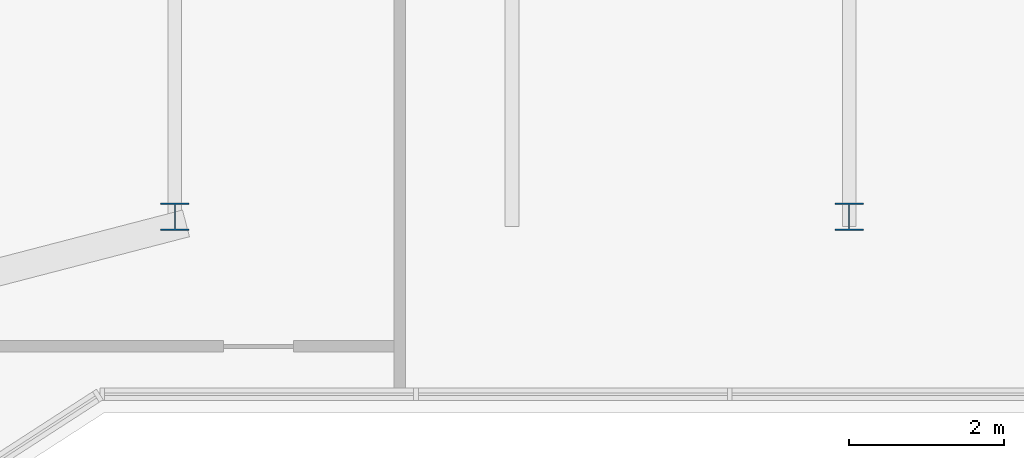
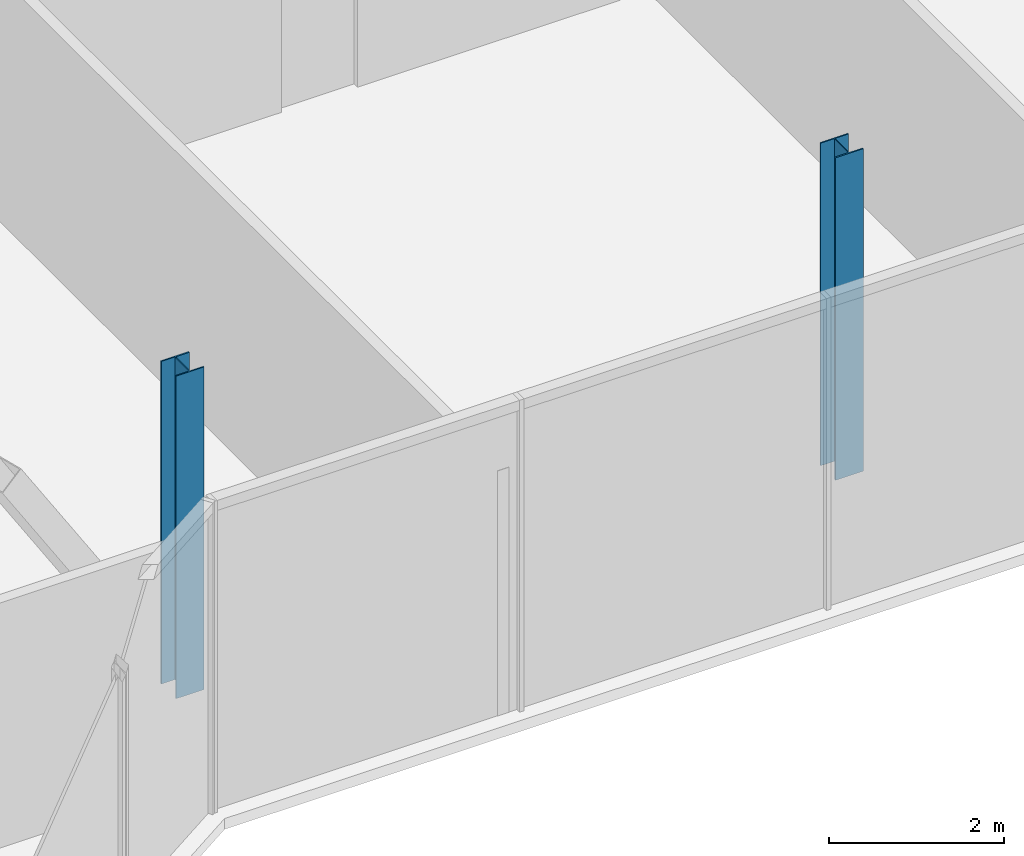
# One storey, part 2 of 22: 2 columns.
"""IFC4 building model written with IfcOpenShell, lengths in metres."""

import ifcopenshell
import ifcopenshell.guid

model = None  # the IFC model being written
_history = None  # IfcOwnerHistory: only IFC2X3 demands one
_inside = {}  # id of a spatial element -> (the spatial element, [elements in it])
_under = {}  # id of a project, library or spatial element -> (it, [spatial elements below it])
_declared = {}  # id of a project -> (the project, [libraries it declares])
_typed = {}  # id of a type object -> (the type object, [elements of that type])
_made_of = {}  # id of a material, layer set ... -> (it, [elements and type objects made of it])


def new_model(schema):
    """Start an empty IFC model of exactly this schema.

    Asked for "IFC4X3", IfcOpenShell would pick the latest addendum, in which some entities
    have other attributes; the version numbers below select the first issue.
    IFC2X3 requires an IfcOwnerHistory on every rooted entity: one is made here for all.
    """
    global model, _history
    if schema == "IFC4X3":
        model = ifcopenshell.file(schema_version=(4, 3, 0, 0))
    else:
        model = ifcopenshell.file(schema=schema)
    _inside.clear()
    _under.clear()
    _declared.clear()
    _typed.clear()
    _made_of.clear()
    _history = None
    if model.schema == "IFC2X3":
        org = make("IfcOrganization", Name="unknown")
        user = make(
            "IfcPersonAndOrganization",
            ThePerson=make("IfcPerson", FamilyName="unknown"),
            TheOrganization=org,
        )
        app = make(
            "IfcApplication",
            ApplicationDeveloper=org,
            Version="unknown",
            ApplicationFullName="unknown",
            ApplicationIdentifier="unknown",
        )
        _history = make(
            "IfcOwnerHistory",
            OwningUser=user,
            OwningApplication=app,
            ChangeAction="ADDED",
            CreationDate=0,
        )
    return model


def make(cls, **values):
    """One entity of the class cls with the attributes given. An attribute that is None is left unset."""
    return model.create_entity(
        cls, **{name: value for name, value in values.items() if value is not None}
    )


def rooted(cls, **values):
    """An entity with a GlobalId (a new one), such as an element, a storey or a relation."""
    return make(cls, GlobalId=ifcopenshell.guid.new(), OwnerHistory=_history, **values)


def si_unit(unit_type, name, prefix=None):
    """IfcSIUnit, for example si_unit("LENGTHUNIT", "METRE", prefix="MILLI")."""
    return make("IfcSIUnit", UnitType=unit_type, Prefix=prefix, Name=name)


def assignment(units):
    """IfcUnitAssignment: the units of a project."""
    return None if units is None else make("IfcUnitAssignment", Units=units)


def point(xyz):
    """IfcCartesianPoint."""
    return None if xyz is None else make("IfcCartesianPoint", Coordinates=xyz)


def direction(xyz):
    """IfcDirection."""
    return None if xyz is None else make("IfcDirection", DirectionRatios=xyz)


def frame(location, z_axis=None, x_axis=None):
    """IfcAxis2Placement3D, a coordinate frame: its origin and axes. An axis left out is left unset."""
    return make(
        "IfcAxis2Placement3D",
        Location=point(location),
        Axis=direction(z_axis),
        RefDirection=direction(x_axis),
    )


def frame_2d(location, x_axis=None):
    """IfcAxis2Placement2D, a coordinate frame in the plane: its origin and x axis."""
    return make(
        "IfcAxis2Placement2D", Location=point(location), RefDirection=direction(x_axis)
    )


def origin():
    """The frame at (0, 0, 0) with its axes left unset."""
    return frame((0.0, 0.0, 0.0))


def origin_2d():
    """The frame at (0, 0) in the plane with its x axis left unset."""
    return frame_2d((0.0, 0.0))


def place(relative_to, where):
    """IfcLocalPlacement: puts the frame where relative to a parent placement (None: the world)."""
    return make(
        "IfcLocalPlacement", PlacementRelTo=relative_to, RelativePlacement=where
    )


def context(
    kind, dimensions, precision=None, world=None, true_north=None, identifier=None
):
    """IfcGeometricRepresentationContext, for example the 3D "Model" context."""
    return make(
        "IfcGeometricRepresentationContext",
        ContextIdentifier=identifier,
        ContextType=kind,
        CoordinateSpaceDimension=dimensions,
        Precision=precision,
        WorldCoordinateSystem=world,
        TrueNorth=true_north,
    )


def subcontext(parent, identifier, kind, view, scale=None):
    """IfcGeometricRepresentationSubContext, for example "Body" below "Model"."""
    return make(
        "IfcGeometricRepresentationSubContext",
        ContextIdentifier=identifier,
        ContextType=kind,
        ParentContext=parent,
        TargetScale=scale,
        TargetView=view,
    )


def project(units=None, contexts=None):
    """IfcProject with its units and contexts."""
    return rooted(
        "IfcProject",
        Name="project",
        RepresentationContexts=contexts,
        UnitsInContext=assignment(units),
    )


def spatial(cls, under=None, at=None, **own):
    """A site, building, storey or space (cls), placed at a placement, below another one or the project."""
    s = rooted(cls, ObjectPlacement=at, **own)
    if under is not None:
        _under.setdefault(under.id(), (under, []))[1].append(s)
    return s


def profile(cls, at=None, kind="AREA", **sizes):
    """A parametric profile (cls). Its sizes go by their IFC names, for example OverallWidth=200.0."""
    return make(cls, ProfileType=kind, Position=at, **sizes)


def i_section(**sizes):
    """IfcIShapeProfileDef."""
    return profile("IfcIShapeProfileDef", **sizes)


def extrude(swept, where, along, depth):
    """IfcExtrudedAreaSolid: the profile swept, set in the frame where, extruded along a direction by depth."""
    return make(
        "IfcExtrudedAreaSolid",
        SweptArea=swept,
        Position=where,
        ExtrudedDirection=direction(along),
        Depth=depth,
    )


def shape(context_of_items, identifier, shape_type, items):
    """IfcShapeRepresentation: the items that make up one representation, for example the "Body"."""
    return make(
        "IfcShapeRepresentation",
        ContextOfItems=context_of_items,
        RepresentationIdentifier=identifier,
        RepresentationType=shape_type,
        Items=items,
    )


def material(Name=None, Category=None):
    """IfcMaterial."""
    return make("IfcMaterial", Name=Name, Category=Category)


def material_profile(
    of_material, cross_section, Name=None, Category=None, Priority=None
):
    """IfcMaterialProfile: a cross section and its material."""
    return make(
        "IfcMaterialProfile",
        Name=Name,
        Material=of_material,
        Profile=cross_section,
        Priority=Priority,
        Category=Category,
    )


def profile_set(profiles, Name=None, composite=None):
    """IfcMaterialProfileSet."""
    return make(
        "IfcMaterialProfileSet",
        Name=Name,
        MaterialProfiles=profiles,
        CompositeProfile=composite,
    )


def made_of(thing, what):
    """Note that an element or type object is made of a material, layer set ...; save() writes the relation."""
    if what is not None:
        _made_of.setdefault(what.id(), (what, []))[1].append(thing)
    return thing


def type_object(cls, material=None, **own):
    """A type object (cls), such as IfcWallType, which elements share."""
    return made_of(rooted(cls, **own), material)


def element(
    cls,
    number,
    at=None,
    inside=None,
    cuts=None,
    type_object=None,
    material=None,
    context=None,
    identifier="Body",
    shape_type=None,
    held_by="IfcProductDefinitionShape",
    body=None,
    shapes=None,
    **own,
):
    """One element of the class cls, such as IfcWall. Its Tag is "e" and its number.

    at: its placement. inside: the storey or other place that contains it. cuts: it is an
    opening in that element (IfcRelVoidsElement). A single representation is given by context,
    identifier, shape_type and body (its items); several are given by shapes. held_by: the class
    of the entity that holds the representations. save() writes the other relations.
    """
    e = rooted(cls, Tag="e%d" % number, ObjectPlacement=at, **own)
    if body is not None:
        shapes = [shape(context, identifier, shape_type, body)]
    if shapes is not None:
        e.Representation = make(held_by, Representations=shapes)
    if inside is not None:
        _inside.setdefault(inside.id(), (inside, []))[1].append(e)
    if cuts is not None:
        rooted(
            "IfcRelVoidsElement", RelatingBuildingElement=cuts, RelatedOpeningElement=e
        )
    if type_object is not None:
        _typed.setdefault(type_object.id(), (type_object, []))[1].append(e)
    return made_of(e, material)


def aggregate(whole, parts):
    """IfcRelAggregates: a whole, such as a stair, and the parts it consists of."""
    return rooted("IfcRelAggregates", RelatingObject=whole, RelatedObjects=parts)


def save(model, path):
    """Write the relations noted so far, then the file.

    IfcRelAggregates (storeys below a building ...), IfcRelContainedInSpatialStructure (elements
    in a storey), IfcRelDefinesByType, IfcRelAssociatesMaterial and IfcRelDeclares: one each for
    every whole, place, type object, material and project.
    """
    for whole, parts in _under.values():
        aggregate(whole, parts)
    for where, things in _inside.values():
        rooted(
            "IfcRelContainedInSpatialStructure",
            RelatedElements=things,
            RelatingStructure=where,
        )
    for kind, things in _typed.values():
        rooted("IfcRelDefinesByType", RelatedObjects=things, RelatingType=kind)
    for what, things in _made_of.values():
        rooted("IfcRelAssociatesMaterial", RelatedObjects=things, RelatingMaterial=what)
    for by, libraries in _declared.values():
        rooted("IfcRelDeclares", RelatingContext=by, RelatedDefinitions=libraries)
    model.write(path)


model = new_model("IFC4")

# Units and contexts
model_context = context("Model", 3, precision=1e-05, world=origin(), true_north=direction((0.0, 1.0)))
body_context = subcontext(model_context, "Body", "Model", "MODEL_VIEW")
ifc_project = project(units=[si_unit("LENGTHUNIT", "METRE"), si_unit("AREAUNIT", "SQUARE_METRE"), si_unit("VOLUMEUNIT", "CUBIC_METRE"), si_unit("PLANEANGLEUNIT", "RADIAN"), si_unit("MASSUNIT", "GRAM", prefix="KILO")], contexts=[model_context])

# Site, building, storey
site_placement = place(None, origin())
site = spatial("IfcSite", under=ifc_project, at=site_placement, CompositionType="ELEMENT")
building_placement = place(site_placement, origin())
building = spatial("IfcBuilding", under=site, at=building_placement, Name="Bicima Exchange Tower", CompositionType="ELEMENT")
storey_placement = place(building_placement, frame((0.0, 0.0, 293.0)))
storey = spatial("IfcBuildingStorey", under=building, at=storey_placement, Name="L66", CompositionType="ELEMENT", Elevation=293.0)

# Columns
ifc_material = material(Name="Steel ASTM A992 Gr 50", Category="steel")
ifc_material_profile = material_profile(ifc_material, i_section(OverallWidth=0.368408203125, OverallDepth=0.355712890625, WebThickness=0.01123046875, FlangeThickness=0.01806640625, at=origin_2d()))
ifc_profile_set = profile_set([ifc_material_profile], Name="Steel ASTM A992 Gr 50")
column_type = type_object("IfcColumnType", Name="Perimeter column W14x90", PredefinedType="COLUMN", material=ifc_profile_set)
for number, where, z_axis, x_axis, name in (
    (1, (17.39990234375, -24.837890625, 0.0), (0.0, 0.0, 1.0), (1.0, 0.0, 0.0), "Perimeter column grav+17.4f"),
    (2, (26.10009765625, -24.837890625, 0.0), (0.0, 0.0, 1.0), (1.0, 0.0, 0.0), "Perimeter column grav+26.1f"),
):
    element("IfcColumn", number, at=place(storey_placement, frame(where, z_axis=z_axis, x_axis=x_axis)), inside=storey, type_object=column_type, Name=name, PredefinedType="COLUMN", context=body_context, shape_type="SweptSolid", body=[
        extrude(i_section(OverallWidth=0.368408203125, OverallDepth=0.355712890625, WebThickness=0.01123046875, FlangeThickness=0.01806640625, at=origin_2d()), origin(), (0.0, 0.0, 1.0), 4.5),
    ])

save(model, "model.ifc")
